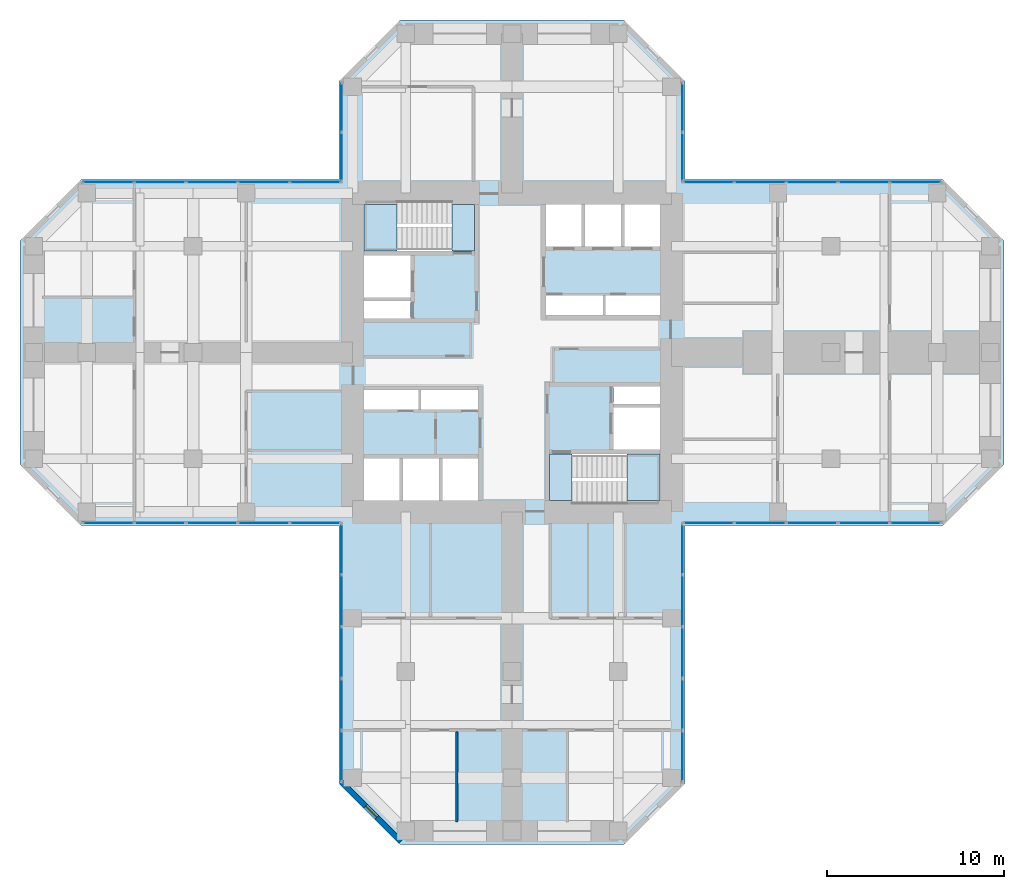
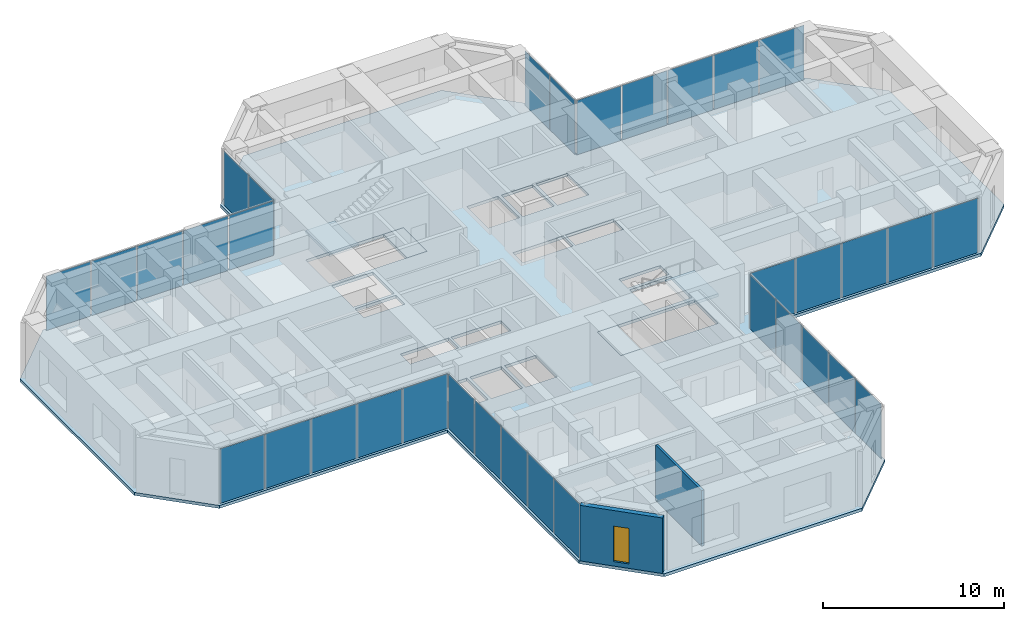
# One storey, part 7 of 13: 34 plates, 5 slabs, 2 walls, 1 window, 1 opening, 10 elements without a shape of their own.
"""IFC4 building model written with IfcOpenShell, lengths in metres."""

from ifc_helpers import new_model, si_unit, direction, frame, frame_2d, origin, origin_2d, place, context, subcontext, project, spatial, polyline, rectangle, hollow_rectangle, outline, extrude, material, layer, layer_set, constituent, constituent_set, type_object, element, fill, aggregate, save


model = new_model("IFC4")

# Units and contexts
model_context = context("Model", 3, precision=1e-05, world=origin(), true_north=direction((0.0, 1.0)))
body_context = subcontext(model_context, "Body", "Model", "MODEL_VIEW")
ifc_project = project(units=[si_unit("LENGTHUNIT", "METRE"), si_unit("AREAUNIT", "SQUARE_METRE"), si_unit("VOLUMEUNIT", "CUBIC_METRE"), si_unit("PLANEANGLEUNIT", "RADIAN"), si_unit("MASSUNIT", "GRAM", prefix="KILO")], contexts=[model_context])

# Site, building, storey
site_placement = place(None, origin())
site = spatial("IfcSite", under=ifc_project, at=site_placement, CompositionType="ELEMENT")
building_placement = place(site_placement, origin())
building = spatial("IfcBuilding", under=site, at=building_placement, Name="Torre Cruceta", CompositionType="ELEMENT")
storey_placement = place(building_placement, frame((0.0, 0.0, 160.5)))
storey = spatial("IfcBuildingStorey", under=building, at=storey_placement, Name="L39", CompositionType="ELEMENT", Elevation=160.5)

# Curtain wall, plate
ifc_material_1 = material(Name="Aluminium unitised curtain wall", Category="aluminium")
curtain_wall_type = type_object("IfcCurtainWallType", Name="CURTAIN WALL CW-B OFFICE MID RISE", PredefinedType="USERDEFINED", material=ifc_material_1)
curtain_wall_1_placement = place(storey_placement, origin())
curtain_wall_1 = element("IfcCurtainWall", 1, at=curtain_wall_1_placement, inside=storey, type_object=curtain_wall_type, Name="CW-B L39 E side 00", ObjectType="UNITISED", PredefinedType="USERDEFINED")
ifc_material_2 = material(Name="Laminated insulating glass unit, diagonal frit 50 %", Category="glass")
ifc_material_3 = material(Name="Laminated insulating glass unit, diagonal frit 50 %", Category="glass")
ifc_layer_1 = layer(ifc_material_3, 0.031982421875)
ifc_layer_set_1 = layer_set([ifc_layer_1], Name="Laminated insulating glass unit, diagonal frit 50 %")
plate_type_1 = type_object("IfcPlateType", Name="CW-B OPERABLE VENT PANEL 32", PredefinedType="CURTAIN_PANEL", material=ifc_layer_set_1)
plate_1_placement = place(storey_placement, frame((16.9384765625, -9.6201171875, 0.009765625), z_axis=(0.0, 0.0, 1.0), x_axis=(1.0, 0.0, 0.0)))
plate_1 = element("IfcPlate", 2, at=plate_1_placement, type_object=plate_type_1, material=ifc_material_2, Name="CW-B vent 3", PredefinedType="CURTAIN_PANEL", context=body_context, shape_type="SweptSolid", body=[
    extrude(rectangle(XDim=2.8623046875, YDim=0.031982421875, at=origin_2d()), origin(), (0.0, 0.0, 1.0), 3.675048828125),
])

curtain_wall_2_placement = place(storey_placement, origin())
curtain_wall_2 = element("IfcCurtainWall", 3, at=curtain_wall_2_placement, inside=storey, type_object=curtain_wall_type, Name="CW-B L39 E side 04", ObjectType="UNITISED", PredefinedType="USERDEFINED")
plate_2_placement = place(storey_placement, frame((16.9384765625, 9.6201171875, 0.009765625), z_axis=(0.0, 0.0, 1.0), x_axis=(-1.0, 0.0, 0.0)))
plate_2 = element("IfcPlate", 4, at=plate_2_placement, type_object=plate_type_1, material=ifc_material_2, Name="CW-B vent 3", PredefinedType="CURTAIN_PANEL", context=body_context, shape_type="SweptSolid", body=[
    extrude(rectangle(XDim=2.8623046875, YDim=0.031982421875, at=origin_2d()), origin(), (0.0, 0.0, 1.0), 3.675048828125),
])

curtain_wall_3_placement = place(storey_placement, origin())
curtain_wall_3 = element("IfcCurtainWall", 5, at=curtain_wall_3_placement, inside=storey, type_object=curtain_wall_type, Name="CW-B L39 W side 10", ObjectType="UNITISED", PredefinedType="USERDEFINED")
plate_3_placement = place(storey_placement, frame((-16.9384765625, 9.6201171875, 0.009765625), z_axis=(0.0, 0.0, 1.0), x_axis=(-1.0, 0.0, 0.0)))
plate_3 = element("IfcPlate", 6, at=plate_3_placement, type_object=plate_type_1, material=ifc_material_2, Name="CW-B vent 3", PredefinedType="CURTAIN_PANEL", context=body_context, shape_type="SweptSolid", body=[
    extrude(rectangle(XDim=2.8623046875, YDim=0.031982421875, at=origin_2d()), origin(), (0.0, 0.0, 1.0), 3.675048828125),
])

curtain_wall_4_placement = place(storey_placement, origin())
curtain_wall_4 = element("IfcCurtainWall", 7, at=curtain_wall_4_placement, inside=storey, type_object=curtain_wall_type, Name="CW-B L39 W side 14", ObjectType="UNITISED", PredefinedType="USERDEFINED")
plate_4_placement = place(storey_placement, frame((-16.9384765625, -9.6201171875, 0.009765625), z_axis=(0.0, 0.0, 1.0), x_axis=(1.0, 0.0, 0.0)))
plate_4 = element("IfcPlate", 8, at=plate_4_placement, type_object=plate_type_1, material=ifc_material_2, Name="CW-B vent 3", PredefinedType="CURTAIN_PANEL", context=body_context, shape_type="SweptSolid", body=[
    extrude(rectangle(XDim=2.8623046875, YDim=0.031982421875, at=origin_2d()), origin(), (0.0, 0.0, 1.0), 3.675048828125),
])

curtain_wall_5_placement = place(storey_placement, origin())
curtain_wall_5 = element("IfcCurtainWall", 9, at=curtain_wall_5_placement, inside=storey, type_object=curtain_wall_type, Name="CW-B L39 S side 15", ObjectType="UNITISED", PredefinedType="USERDEFINED")
plate_5_placement = place(storey_placement, frame((-9.6201171875, -16.9384765625, 0.009765625), z_axis=(0.0, 0.0, 1.0), x_axis=(0.0, -1.0, 0.0)))
plate_5 = element("IfcPlate", 10, at=plate_5_placement, type_object=plate_type_1, material=ifc_material_2, Name="CW-B vent 3", PredefinedType="CURTAIN_PANEL", context=body_context, shape_type="SweptSolid", body=[
    extrude(rectangle(XDim=2.8623046875, YDim=0.031982421875, at=origin_2d()), origin(), (0.0, 0.0, 1.0), 3.675048828125),
])

curtain_wall_6_placement = place(storey_placement, origin())
curtain_wall_6 = element("IfcCurtainWall", 11, at=curtain_wall_6_placement, inside=storey, type_object=curtain_wall_type, Name="CW-B L39 S side 19", ObjectType="UNITISED", PredefinedType="USERDEFINED")
plate_6_placement = place(storey_placement, frame((9.6201171875, -16.9384765625, 0.009765625), z_axis=(0.0, 0.0, 1.0), x_axis=(0.0, 1.0, 0.0)))
plate_6 = element("IfcPlate", 12, at=plate_6_placement, type_object=plate_type_1, material=ifc_material_2, Name="CW-B vent 3", PredefinedType="CURTAIN_PANEL", context=body_context, shape_type="SweptSolid", body=[
    extrude(rectangle(XDim=2.8623046875, YDim=0.031982421875, at=origin_2d()), origin(), (0.0, 0.0, 1.0), 3.675048828125),
])

# Plate
ifc_material_4 = material(Name="Laminated insulating glass unit, diagonal frit 50 %", Category="glass")
ifc_layer_2 = layer(ifc_material_4, 0.031982421875)
ifc_layer_set_2 = layer_set([ifc_layer_2], Name="Laminated insulating glass unit, diagonal frit 50 %")
plate_type_2 = type_object("IfcPlateType", Name="CW-B PANEL 32", PredefinedType="CURTAIN_PANEL", material=ifc_layer_set_2)
plate_7_placement = place(storey_placement, frame((11.099853515625, -9.6201171875, 0.009765625), z_axis=(0.0, 0.0, 1.0), x_axis=(1.0, 0.0, 0.0)))
plate_7 = element("IfcPlate", 13, at=plate_7_placement, type_object=plate_type_2, material=ifc_material_2, Name="CW-B panel 1", PredefinedType="CURTAIN_PANEL", context=body_context, shape_type="SweptSolid", body=[
    extrude(rectangle(XDim=2.829833984375, YDim=0.031982421875, at=origin_2d()), origin(), (0.0, 0.0, 1.0), 3.675048828125),
])

plate_8_placement = place(storey_placement, frame((14.010986328125, -9.6201171875, 0.009765625), z_axis=(0.0, 0.0, 1.0), x_axis=(1.0, 0.0, 0.0)))
plate_8 = element("IfcPlate", 14, at=plate_8_placement, type_object=plate_type_2, material=ifc_material_2, Name="CW-B panel 2", PredefinedType="CURTAIN_PANEL", context=body_context, shape_type="SweptSolid", body=[
    extrude(rectangle(XDim=2.8623046875, YDim=0.031982421875, at=origin_2d()), origin(), (0.0, 0.0, 1.0), 3.675048828125),
])

ifc_material_5 = material(Name="Laminated insulating glass unit, low-iron clear", Category="glass")
plate_9_placement = place(storey_placement, frame((19.86572265625, -9.6201171875, 0.009765625), z_axis=(0.0, 0.0, 1.0), x_axis=(1.0, 0.0, 0.0)))
plate_9 = element("IfcPlate", 15, at=plate_9_placement, type_object=plate_type_2, material=ifc_material_5, Name="CW-B panel 4", PredefinedType="CURTAIN_PANEL", context=body_context, shape_type="SweptSolid", body=[
    extrude(rectangle(XDim=2.8623046875, YDim=0.031982421875, at=origin_2d()), origin(), (0.0, 0.0, 1.0), 3.675048828125),
])

plate_10_placement = place(storey_placement, frame((22.77685546875, -9.6201171875, 0.009765625), z_axis=(0.0, 0.0, 1.0), x_axis=(1.0, 0.0, 0.0)))
plate_10 = element("IfcPlate", 16, at=plate_10_placement, type_object=plate_type_2, material=ifc_material_5, Name="CW-B panel 5", PredefinedType="CURTAIN_PANEL", context=body_context, shape_type="SweptSolid", body=[
    extrude(rectangle(XDim=2.829833984375, YDim=0.031982421875, at=origin_2d()), origin(), (0.0, 0.0, 1.0), 3.675048828125),
])

aggregate(curtain_wall_1, [plate_7, plate_8, plate_1, plate_9, plate_10])

plate_11_placement = place(storey_placement, frame((22.77685546875, 9.6201171875, 0.009765625), z_axis=(0.0, 0.0, 1.0), x_axis=(-1.0, 0.0, 0.0)))
plate_11 = element("IfcPlate", 17, at=plate_11_placement, type_object=plate_type_2, material=ifc_material_2, Name="CW-B panel 1", PredefinedType="CURTAIN_PANEL", context=body_context, shape_type="SweptSolid", body=[
    extrude(rectangle(XDim=2.829833984375, YDim=0.031982421875, at=origin_2d()), origin(), (0.0, 0.0, 1.0), 3.675048828125),
])

plate_12_placement = place(storey_placement, frame((19.86572265625, 9.6201171875, 0.009765625), z_axis=(0.0, 0.0, 1.0), x_axis=(-1.0, 0.0, 0.0)))
plate_12 = element("IfcPlate", 18, at=plate_12_placement, type_object=plate_type_2, material=ifc_material_2, Name="CW-B panel 2", PredefinedType="CURTAIN_PANEL", context=body_context, shape_type="SweptSolid", body=[
    extrude(rectangle(XDim=2.8623046875, YDim=0.031982421875, at=origin_2d()), origin(), (0.0, 0.0, 1.0), 3.675048828125),
])

plate_13_placement = place(storey_placement, frame((14.010986328125, 9.6201171875, 0.009765625), z_axis=(0.0, 0.0, 1.0), x_axis=(-1.0, 0.0, 0.0)))
plate_13 = element("IfcPlate", 19, at=plate_13_placement, type_object=plate_type_2, material=ifc_material_5, Name="CW-B panel 4", PredefinedType="CURTAIN_PANEL", context=body_context, shape_type="SweptSolid", body=[
    extrude(rectangle(XDim=2.8623046875, YDim=0.031982421875, at=origin_2d()), origin(), (0.0, 0.0, 1.0), 3.675048828125),
])

plate_14_placement = place(storey_placement, frame((11.099853515625, 9.6201171875, 0.009765625), z_axis=(0.0, 0.0, 1.0), x_axis=(-1.0, 0.0, 0.0)))
plate_14 = element("IfcPlate", 20, at=plate_14_placement, type_object=plate_type_2, material=ifc_material_5, Name="CW-B panel 5", PredefinedType="CURTAIN_PANEL", context=body_context, shape_type="SweptSolid", body=[
    extrude(rectangle(XDim=2.829833984375, YDim=0.031982421875, at=origin_2d()), origin(), (0.0, 0.0, 1.0), 3.675048828125),
])

aggregate(curtain_wall_2, [plate_11, plate_12, plate_2, plate_13, plate_14])

# Curtain wall, plates
curtain_wall_7_placement = place(storey_placement, origin())
curtain_wall_7 = element("IfcCurtainWall", 21, at=curtain_wall_7_placement, inside=storey, type_object=curtain_wall_type, Name="CW-B L39 N side 05", ObjectType="UNITISED", PredefinedType="USERDEFINED")
plate_15_placement = place(storey_placement, frame((9.6201171875, 11.04541015625, 0.009765625), z_axis=(0.0, 0.0, 1.0), x_axis=(0.0, 1.0, 0.0)))
plate_15 = element("IfcPlate", 22, at=plate_15_placement, type_object=plate_type_2, material=ifc_material_2, Name="CW-B panel 1", PredefinedType="CURTAIN_PANEL", context=body_context, shape_type="SweptSolid", body=[
    extrude(rectangle(XDim=2.720947265625, YDim=0.031982421875, at=origin_2d()), origin(), (0.0, 0.0, 1.0), 3.675048828125),
])
plate_16_placement = place(storey_placement, frame((9.6201171875, 13.831298828125, 0.009765625), z_axis=(0.0, 0.0, 1.0), x_axis=(0.0, 1.0, 0.0)))
plate_16 = element("IfcPlate", 23, at=plate_16_placement, type_object=plate_type_2, material=ifc_material_2, Name="CW-B panel 2", PredefinedType="CURTAIN_PANEL", context=body_context, shape_type="SweptSolid", body=[
    extrude(rectangle(XDim=2.720947265625, YDim=0.031982421875, at=origin_2d()), origin(), (0.0, 0.0, 1.0), 3.675048828125),
])
aggregate(curtain_wall_7, [plate_15, plate_16])

curtain_wall_8_placement = place(storey_placement, origin())
curtain_wall_8 = element("IfcCurtainWall", 24, at=curtain_wall_8_placement, inside=storey, type_object=curtain_wall_type, Name="CW-B L39 N side 09", ObjectType="UNITISED", PredefinedType="USERDEFINED")
plate_17_placement = place(storey_placement, frame((-9.6201171875, 13.831298828125, 0.009765625), z_axis=(0.0, 0.0, 1.0), x_axis=(0.0, -1.0, 0.0)))
plate_17 = element("IfcPlate", 25, at=plate_17_placement, type_object=plate_type_2, material=ifc_material_2, Name="CW-B panel 1", PredefinedType="CURTAIN_PANEL", context=body_context, shape_type="SweptSolid", body=[
    extrude(rectangle(XDim=2.720947265625, YDim=0.031982421875, at=origin_2d()), origin(), (0.0, 0.0, 1.0), 3.675048828125),
])
plate_18_placement = place(storey_placement, frame((-9.6201171875, 11.04541015625, 0.009765625), z_axis=(0.0, 0.0, 1.0), x_axis=(0.0, -1.0, 0.0)))
plate_18 = element("IfcPlate", 26, at=plate_18_placement, type_object=plate_type_2, material=ifc_material_2, Name="CW-B panel 2", PredefinedType="CURTAIN_PANEL", context=body_context, shape_type="SweptSolid", body=[
    extrude(rectangle(XDim=2.720947265625, YDim=0.031982421875, at=origin_2d()), origin(), (0.0, 0.0, 1.0), 3.675048828125),
])
aggregate(curtain_wall_8, [plate_17, plate_18])

# Plate
plate_19_placement = place(storey_placement, frame((-11.099853515625, 9.6201171875, 0.009765625), z_axis=(0.0, 0.0, 1.0), x_axis=(-1.0, 0.0, 0.0)))
plate_19 = element("IfcPlate", 27, at=plate_19_placement, type_object=plate_type_2, material=ifc_material_2, Name="CW-B panel 1", PredefinedType="CURTAIN_PANEL", context=body_context, shape_type="SweptSolid", body=[
    extrude(rectangle(XDim=2.829833984375, YDim=0.031982421875, at=origin_2d()), origin(), (0.0, 0.0, 1.0), 3.675048828125),
])

plate_20_placement = place(storey_placement, frame((-14.010986328125, 9.6201171875, 0.009765625), z_axis=(0.0, 0.0, 1.0), x_axis=(-1.0, 0.0, 0.0)))
plate_20 = element("IfcPlate", 28, at=plate_20_placement, type_object=plate_type_2, material=ifc_material_2, Name="CW-B panel 2", PredefinedType="CURTAIN_PANEL", context=body_context, shape_type="SweptSolid", body=[
    extrude(rectangle(XDim=2.8623046875, YDim=0.031982421875, at=origin_2d()), origin(), (0.0, 0.0, 1.0), 3.675048828125),
])

plate_21_placement = place(storey_placement, frame((-19.86572265625, 9.6201171875, 0.009765625), z_axis=(0.0, 0.0, 1.0), x_axis=(-1.0, 0.0, 0.0)))
plate_21 = element("IfcPlate", 29, at=plate_21_placement, type_object=plate_type_2, material=ifc_material_5, Name="CW-B panel 4", PredefinedType="CURTAIN_PANEL", context=body_context, shape_type="SweptSolid", body=[
    extrude(rectangle(XDim=2.8623046875, YDim=0.031982421875, at=origin_2d()), origin(), (0.0, 0.0, 1.0), 3.675048828125),
])

plate_22_placement = place(storey_placement, frame((-22.77685546875, 9.6201171875, 0.009765625), z_axis=(0.0, 0.0, 1.0), x_axis=(-1.0, 0.0, 0.0)))
plate_22 = element("IfcPlate", 30, at=plate_22_placement, type_object=plate_type_2, material=ifc_material_5, Name="CW-B panel 5", PredefinedType="CURTAIN_PANEL", context=body_context, shape_type="SweptSolid", body=[
    extrude(rectangle(XDim=2.829833984375, YDim=0.031982421875, at=origin_2d()), origin(), (0.0, 0.0, 1.0), 3.675048828125),
])

aggregate(curtain_wall_3, [plate_19, plate_20, plate_3, plate_21, plate_22])

plate_23_placement = place(storey_placement, frame((-22.77685546875, -9.6201171875, 0.009765625), z_axis=(0.0, 0.0, 1.0), x_axis=(1.0, 0.0, 0.0)))
plate_23 = element("IfcPlate", 31, at=plate_23_placement, type_object=plate_type_2, material=ifc_material_2, Name="CW-B panel 1", PredefinedType="CURTAIN_PANEL", context=body_context, shape_type="SweptSolid", body=[
    extrude(rectangle(XDim=2.829833984375, YDim=0.031982421875, at=origin_2d()), origin(), (0.0, 0.0, 1.0), 3.675048828125),
])

plate_24_placement = place(storey_placement, frame((-19.86572265625, -9.6201171875, 0.009765625), z_axis=(0.0, 0.0, 1.0), x_axis=(1.0, 0.0, 0.0)))
plate_24 = element("IfcPlate", 32, at=plate_24_placement, type_object=plate_type_2, material=ifc_material_2, Name="CW-B panel 2", PredefinedType="CURTAIN_PANEL", context=body_context, shape_type="SweptSolid", body=[
    extrude(rectangle(XDim=2.8623046875, YDim=0.031982421875, at=origin_2d()), origin(), (0.0, 0.0, 1.0), 3.675048828125),
])

plate_25_placement = place(storey_placement, frame((-14.010986328125, -9.6201171875, 0.009765625), z_axis=(0.0, 0.0, 1.0), x_axis=(1.0, 0.0, 0.0)))
plate_25 = element("IfcPlate", 33, at=plate_25_placement, type_object=plate_type_2, material=ifc_material_5, Name="CW-B panel 4", PredefinedType="CURTAIN_PANEL", context=body_context, shape_type="SweptSolid", body=[
    extrude(rectangle(XDim=2.8623046875, YDim=0.031982421875, at=origin_2d()), origin(), (0.0, 0.0, 1.0), 3.675048828125),
])

plate_26_placement = place(storey_placement, frame((-11.099853515625, -9.6201171875, 0.009765625), z_axis=(0.0, 0.0, 1.0), x_axis=(1.0, 0.0, 0.0)))
plate_26 = element("IfcPlate", 34, at=plate_26_placement, type_object=plate_type_2, material=ifc_material_5, Name="CW-B panel 5", PredefinedType="CURTAIN_PANEL", context=body_context, shape_type="SweptSolid", body=[
    extrude(rectangle(XDim=2.829833984375, YDim=0.031982421875, at=origin_2d()), origin(), (0.0, 0.0, 1.0), 3.675048828125),
])

aggregate(curtain_wall_4, [plate_23, plate_24, plate_4, plate_25, plate_26])

plate_27_placement = place(storey_placement, frame((-9.6201171875, -11.099853515625, 0.009765625), z_axis=(0.0, 0.0, 1.0), x_axis=(0.0, -1.0, 0.0)))
plate_27 = element("IfcPlate", 35, at=plate_27_placement, type_object=plate_type_2, material=ifc_material_2, Name="CW-B panel 1", PredefinedType="CURTAIN_PANEL", context=body_context, shape_type="SweptSolid", body=[
    extrude(rectangle(XDim=2.829833984375, YDim=0.031982421875, at=origin_2d()), origin(), (0.0, 0.0, 1.0), 3.675048828125),
])

plate_28_placement = place(storey_placement, frame((-9.6201171875, -14.010986328125, 0.009765625), z_axis=(0.0, 0.0, 1.0), x_axis=(0.0, -1.0, 0.0)))
plate_28 = element("IfcPlate", 36, at=plate_28_placement, type_object=plate_type_2, material=ifc_material_2, Name="CW-B panel 2", PredefinedType="CURTAIN_PANEL", context=body_context, shape_type="SweptSolid", body=[
    extrude(rectangle(XDim=2.8623046875, YDim=0.031982421875, at=origin_2d()), origin(), (0.0, 0.0, 1.0), 3.675048828125),
])

plate_29_placement = place(storey_placement, frame((-9.6201171875, -19.86572265625, 0.009765625), z_axis=(0.0, 0.0, 1.0), x_axis=(0.0, -1.0, 0.0)))
plate_29 = element("IfcPlate", 37, at=plate_29_placement, type_object=plate_type_2, material=ifc_material_5, Name="CW-B panel 4", PredefinedType="CURTAIN_PANEL", context=body_context, shape_type="SweptSolid", body=[
    extrude(rectangle(XDim=2.8623046875, YDim=0.031982421875, at=origin_2d()), origin(), (0.0, 0.0, 1.0), 3.675048828125),
])

plate_30_placement = place(storey_placement, frame((-9.6201171875, -22.77685546875, 0.009765625), z_axis=(0.0, 0.0, 1.0), x_axis=(0.0, -1.0, 0.0)))
plate_30 = element("IfcPlate", 38, at=plate_30_placement, type_object=plate_type_2, material=ifc_material_5, Name="CW-B panel 5", PredefinedType="CURTAIN_PANEL", context=body_context, shape_type="SweptSolid", body=[
    extrude(rectangle(XDim=2.829833984375, YDim=0.031982421875, at=origin_2d()), origin(), (0.0, 0.0, 1.0), 3.675048828125),
])

aggregate(curtain_wall_5, [plate_27, plate_28, plate_5, plate_29, plate_30])

plate_31_placement = place(storey_placement, frame((9.6201171875, -22.77685546875, 0.009765625), z_axis=(0.0, 0.0, 1.0), x_axis=(0.0, 1.0, 0.0)))
plate_31 = element("IfcPlate", 39, at=plate_31_placement, type_object=plate_type_2, material=ifc_material_2, Name="CW-B panel 1", PredefinedType="CURTAIN_PANEL", context=body_context, shape_type="SweptSolid", body=[
    extrude(rectangle(XDim=2.829833984375, YDim=0.031982421875, at=origin_2d()), origin(), (0.0, 0.0, 1.0), 3.675048828125),
])

plate_32_placement = place(storey_placement, frame((9.6201171875, -19.86572265625, 0.009765625), z_axis=(0.0, 0.0, 1.0), x_axis=(0.0, 1.0, 0.0)))
plate_32 = element("IfcPlate", 40, at=plate_32_placement, type_object=plate_type_2, material=ifc_material_2, Name="CW-B panel 2", PredefinedType="CURTAIN_PANEL", context=body_context, shape_type="SweptSolid", body=[
    extrude(rectangle(XDim=2.8623046875, YDim=0.031982421875, at=origin_2d()), origin(), (0.0, 0.0, 1.0), 3.675048828125),
])

plate_33_placement = place(storey_placement, frame((9.6201171875, -14.010986328125, 0.009765625), z_axis=(0.0, 0.0, 1.0), x_axis=(0.0, 1.0, 0.0)))
plate_33 = element("IfcPlate", 41, at=plate_33_placement, type_object=plate_type_2, material=ifc_material_5, Name="CW-B panel 4", PredefinedType="CURTAIN_PANEL", context=body_context, shape_type="SweptSolid", body=[
    extrude(rectangle(XDim=2.8623046875, YDim=0.031982421875, at=origin_2d()), origin(), (0.0, 0.0, 1.0), 3.675048828125),
])

plate_34_placement = place(storey_placement, frame((9.6201171875, -11.099853515625, 0.009765625), z_axis=(0.0, 0.0, 1.0), x_axis=(0.0, 1.0, 0.0)))
plate_34 = element("IfcPlate", 42, at=plate_34_placement, type_object=plate_type_2, material=ifc_material_5, Name="CW-B panel 5", PredefinedType="CURTAIN_PANEL", context=body_context, shape_type="SweptSolid", body=[
    extrude(rectangle(XDim=2.829833984375, YDim=0.031982421875, at=origin_2d()), origin(), (0.0, 0.0, 1.0), 3.675048828125),
])

aggregate(curtain_wall_6, [plate_31, plate_32, plate_6, plate_33, plate_34])

# Slab
ifc_material_6 = material(Name="Concrete G35 (fck 35 MPa)", Category="concrete")
ifc_layer_3 = layer(ifc_material_6, 0.199951171875)
ifc_layer_set_3 = layer_set([ifc_layer_3], Name="Concrete G35 (fck 35 MPa)")
slab_type_1 = type_object("IfcSlabType", Name="FLOOR SLAB 200", PredefinedType="FLOOR", material=ifc_layer_set_3)
slab_1_placement = place(storey_placement, frame((0.0, 0.0, -0.199951171875)))
element("IfcSlab", 43, at=slab_1_placement, inside=storey, type_object=slab_type_1, Name="Floor Slab L39", PredefinedType="FLOOR", context=body_context, shape_type="SweptSolid", body=[
    extrude(outline(polyline([(9.77001953125, -9.77001953125), (9.77001953125, -24.31884765625), (6.31884765625, -27.77001953125), (-6.31884765625, -27.77001953125), (-9.77001953125, -24.31884765625), (-9.77001953125, -9.77001953125), (-24.31884765625, -9.77001953125), (-27.77001953125, -6.31884765625), (-27.77001953125, 6.31884765625), (-24.31884765625, 9.77001953125), (-9.77001953125, 9.77001953125), (-9.77001953125, 15.31884765625), (-6.31884765625, 18.77001953125), (6.31884765625, 18.77001953125), (9.77001953125, 15.31884765625), (9.77001953125, 9.77001953125), (24.31884765625, 9.77001953125), (27.77001953125, 6.31884765625), (27.77001953125, -6.31884765625), (24.31884765625, -9.77001953125), (9.77001953125, -9.77001953125)]), holes=[polyline([(1.925048828125, 5.97509765625), (3.933349609375, 5.97509765625), (3.933349609375, 8.35009765625), (1.925048828125, 8.35009765625), (1.925048828125, 5.97509765625)]), polyline([(4.13330078125, 5.97509765625), (6.1416015625, 5.97509765625), (6.1416015625, 8.35009765625), (4.13330078125, 8.35009765625), (4.13330078125, 5.97509765625)]), polyline([(6.341552734375, 5.97509765625), (8.35009765625, 5.97509765625), (8.35009765625, 8.35009765625), (6.341552734375, 8.35009765625), (6.341552734375, 5.97509765625)]), polyline([(1.925048828125, 2.125), (5.125, 2.125), (5.125, 3.22509765625), (1.925048828125, 3.22509765625), (1.925048828125, 2.125)]), polyline([(5.27490234375, 2.125), (8.35009765625, 2.125), (8.35009765625, 3.22509765625), (5.27490234375, 3.22509765625), (5.27490234375, 2.125)]), polyline([(-8.35009765625, 3.10009765625), (-5.72509765625, 3.10009765625), (-5.72509765625, 5.47509765625), (-8.35009765625, 5.47509765625), (-8.35009765625, 3.10009765625)]), polyline([(-8.35009765625, 1.925048828125), (-5.72509765625, 1.925048828125), (-5.72509765625, 2.89990234375), (-8.35009765625, 2.89990234375), (-8.35009765625, 1.925048828125)]), polyline([(-3.933349609375, -8.35009765625), (-1.925048828125, -8.35009765625), (-1.925048828125, -5.97509765625), (-3.933349609375, -5.97509765625), (-3.933349609375, -8.35009765625)]), polyline([(-6.1416015625, -8.35009765625), (-4.13330078125, -8.35009765625), (-4.13330078125, -5.97509765625), (-6.1416015625, -5.97509765625), (-6.1416015625, -8.35009765625)]), polyline([(-8.35009765625, -8.35009765625), (-6.341552734375, -8.35009765625), (-6.341552734375, -5.97509765625), (-8.35009765625, -5.97509765625), (-8.35009765625, -8.35009765625)]), polyline([(-5.125, -3.22509765625), (-1.925048828125, -3.22509765625), (-1.925048828125, -2.125), (-5.125, -2.125), (-5.125, -3.22509765625)]), polyline([(-8.35009765625, -3.22509765625), (-5.27490234375, -3.22509765625), (-5.27490234375, -2.125), (-8.35009765625, -2.125), (-8.35009765625, -3.22509765625)]), polyline([(5.72509765625, -5.47509765625), (8.35009765625, -5.47509765625), (8.35009765625, -3.10009765625), (5.72509765625, -3.10009765625), (5.72509765625, -5.47509765625)]), polyline([(5.72509765625, -2.89990234375), (8.35009765625, -2.89990234375), (8.35009765625, -1.925048828125), (5.72509765625, -1.925048828125), (5.72509765625, -2.89990234375)]), polyline([(-8.35009765625, 5.72509765625), (-8.35009765625, 8.35009765625), (-3.39990234375, 8.35009765625), (-2.125, 8.35009765625), (-2.125, 5.72509765625), (-3.39990234375, 5.72509765625), (-8.35009765625, 5.72509765625)]), polyline([(2.125, -5.72509765625), (3.39990234375, -5.72509765625), (8.35009765625, -5.72509765625), (8.35009765625, -8.35009765625), (3.39990234375, -8.35009765625), (2.125, -8.35009765625), (2.125, -5.72509765625)])]), origin(), (0.0, 0.0, 1.0), 0.199951171875),
])

# Stair, slab
ifc_material_7 = material(Name="Concrete G30 (fck 30 MPa)", Category="concrete")
stair_type = type_object("IfcStairType", Name="STAIR HALF-TURN 1300", PredefinedType="HALF_TURN_STAIR", material=ifc_material_7)
stair_1_placement = place(storey_placement, origin())
stair_1 = element("IfcStair", 44, at=stair_1_placement, inside=storey, type_object=stair_type, Name="Stair ST1 L39", PredefinedType="HALF_TURN_STAIR")
ifc_material_8 = material(Name="Concrete G30 (fck 30 MPa)", Category="concrete")
ifc_layer_4 = layer(ifc_material_8, 0.199951171875)
ifc_layer_set_4 = layer_set([ifc_layer_4], Name="Concrete G30 (fck 30 MPa)")
slab_type_2 = type_object("IfcSlabType", Name="STAIR LANDING 200", PredefinedType="LANDING", material=ifc_layer_set_4)
slab_2_placement = place(storey_placement, frame((0.0, 0.0, 1.800048828125)))
slab_2 = element("IfcSlab", 45, at=slab_2_placement, type_object=slab_type_2, Name="ST1 landing 1", PredefinedType="LANDING", context=body_context, shape_type="SweptSolid", body=[
    extrude(outline(polyline([(-8.35009765625, 5.72509765625), (-6.47998046875, 5.72509765625), (-6.47998046875, 8.35009765625), (-8.35009765625, 8.35009765625), (-8.35009765625, 5.72509765625)])), origin(), (0.0, 0.0, 1.0), 0.199951171875),
])
aggregate(stair_1, [slab_2])

stair_2_placement = place(storey_placement, origin())
stair_2 = element("IfcStair", 46, at=stair_2_placement, inside=storey, type_object=stair_type, Name="Stair ST2 L39", PredefinedType="HALF_TURN_STAIR")
slab_3_placement = place(storey_placement, frame((0.0, 0.0, 1.800048828125)))
slab_3 = element("IfcSlab", 47, at=slab_3_placement, type_object=slab_type_2, Name="ST2 landing 1", PredefinedType="LANDING", context=body_context, shape_type="SweptSolid", body=[
    extrude(outline(polyline([(6.47998046875, -8.35009765625), (8.35009765625, -8.35009765625), (8.35009765625, -5.72509765625), (6.47998046875, -5.72509765625), (6.47998046875, -8.35009765625)])), origin(), (0.0, 0.0, 1.0), 0.199951171875),
])
aggregate(stair_2, [slab_3])

# Slabs
slab_4_placement = place(storey_placement, frame((0.0, 0.0, -0.199951171875)))
element("IfcSlab", 48, at=slab_4_placement, inside=storey, type_object=slab_type_2, Name="Stair ST1 floor landing L39", PredefinedType="LANDING", context=body_context, shape_type="SweptSolid", body=[
    extrude(outline(polyline([(-2.125, 8.35009765625), (-2.125, 5.72509765625), (-3.39990234375, 5.72509765625), (-3.39990234375, 8.35009765625), (-2.125, 8.35009765625)])), origin(), (0.0, 0.0, 1.0), 0.199951171875),
])
slab_5_placement = place(storey_placement, frame((0.0, 0.0, -0.199951171875)))
element("IfcSlab", 49, at=slab_5_placement, inside=storey, type_object=slab_type_2, Name="Stair ST2 floor landing L39", PredefinedType="LANDING", context=body_context, shape_type="SweptSolid", body=[
    extrude(outline(polyline([(2.125, -8.35009765625), (2.125, -5.72509765625), (3.39990234375, -5.72509765625), (3.39990234375, -8.35009765625), (2.125, -8.35009765625)])), origin(), (0.0, 0.0, 1.0), 0.199951171875),
])

# Wall, opening, window
ifc_material_9 = material(Name="Concrete G30 (fck 30 MPa)", Category="concrete")
ifc_layer_5 = layer(ifc_material_9, 0.300048828125)
ifc_layer_set_5 = layer_set([ifc_layer_5], Name="Concrete G30 (fck 30 MPa)")
wall_type_1 = type_object("IfcWallType", Name="EXPOSED CONCRETE FACADE WALL 300", PredefinedType="SOLIDWALL", material=ifc_layer_set_5)
wall_1_placement = place(storey_placement, frame((-9.6201171875, -24.2568359375, 0.0), z_axis=(0.0, 0.0, 1.0), x_axis=(0.707106781187, -0.707106781187, 0.0)))
wall_1 = element("IfcWall", 50, at=wall_1_placement, inside=storey, type_object=wall_type_1, Name="EW1 facade wall L39 S chamfer 16", PredefinedType="SOLIDWALL", context=body_context, shape_type="SweptSolid", body=[
    extrude(rectangle(XDim=4.72802734375, YDim=0.300048828125, at=frame_2d((2.364013671875, 0.0))), origin(), (0.0, 0.0, 1.0), 3.75),
])
opening_placement = place(wall_1_placement, frame((1.9140625, 0.0, 0.300048828125)))
opening = element("IfcOpeningElement", 51, at=opening_placement, cuts=wall_1, Name="Opening WN5", PredefinedType="OPENING", context=body_context, shape_type="SweptSolid", body=[
    extrude(rectangle(XDim=0.89990234375, YDim=2.39990234375, at=frame_2d((0.449951171875, 1.199951171875))), frame((0.0, 0.159912109375, 0.0), z_axis=(0.0, -1.0, 0.0), x_axis=(1.0, 0.0, 0.0)), (0.0, 0.0, 1.0), 0.320068359375),
])
ifc_material_10 = material(Name="Aluminium window frame", Category="aluminium")
ifc_constituent_1 = constituent(ifc_material_10, Name="Frame")
ifc_material_11 = material(Name="Laminated insulating glass unit, low-iron clear", Category="glass")
ifc_constituent_2 = constituent(ifc_material_11, Name="Glazing")
ifc_constituent_set = constituent_set(constituents=[ifc_constituent_1, ifc_constituent_2], Name="Aluminium window")
window_type = type_object("IfcWindowType", Name="CHAMFER SLOT WINDOW 900X2400", PartitioningType="SINGLE_PANEL", PredefinedType="WINDOW", material=ifc_constituent_set)
window_placement = place(opening_placement, origin())
window = element("IfcWindow", 52, at=window_placement, inside=storey, type_object=window_type, Name="WN5 L39 S 1", OverallHeight=2.39990234375, OverallWidth=0.89990234375, PartitioningType="SINGLE_PANEL", PredefinedType="WINDOW", context=body_context, shape_type="SweptSolid", body=[
    extrude(hollow_rectangle(XDim=0.89990234375, YDim=2.39990234375, WallThickness=0.06005859375, at=frame_2d((0.449951171875, 1.199951171875))), frame((0.0, 0.030029296875, 0.0), z_axis=(0.0, -1.0, 0.0), x_axis=(1.0, 0.0, 0.0)), (0.0, 0.0, 1.0), 0.06005859375),
    extrude(rectangle(XDim=0.77880859375, YDim=2.27880859375, at=frame_2d((0.449951171875, 1.199951171875))), frame((0.0, 0.030029296875, 0.0), z_axis=(0.0, -1.0, 0.0), x_axis=(1.0, 0.0, 0.0)), (0.0, 0.0, 1.0), 0.06005859375),
])
fill(opening, window)

# Wall
ifc_material_12 = material(Name="Plasterboard on steel studs", Category="steel")
ifc_layer_6 = layer(ifc_material_12, 0.14990234375)
ifc_layer_set_6 = layer_set([ifc_layer_6], Name="Plasterboard on steel studs")
wall_type_2 = type_object("IfcWallType", Name="PARTITION 150", PredefinedType="PARTITIONING", material=ifc_layer_set_6)
wall_2_placement = place(storey_placement, frame((-3.117919921875, -21.419921875, 0.0), z_axis=(0.0, 0.0, 1.0), x_axis=(0.0, -1.0, 0.0)))
element("IfcWall", 53, at=wall_2_placement, inside=storey, type_object=wall_type_2, Name="PT1 L39-S-TDR", PredefinedType="PARTITIONING", context=body_context, shape_type="SweptSolid", body=[
    extrude(rectangle(XDim=5.080078125, YDim=0.14990234375, at=frame_2d((2.5400390625, 0.0))), origin(), (0.0, 0.0, 1.0), 3.75),
])

save(model, "model.ifc")
